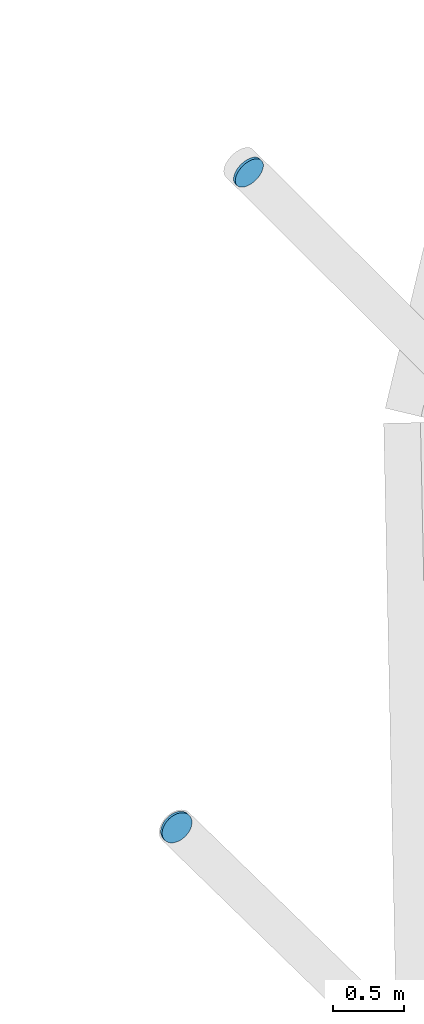
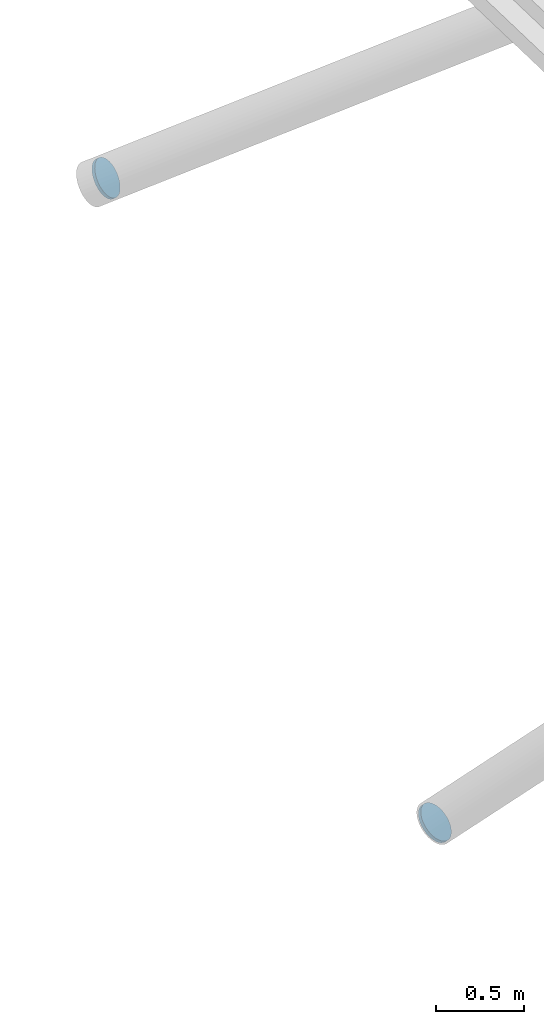
# One storey, part 27 of 38: 2 discrete accessories.
"""IFC4 building model written with IfcOpenShell, lengths in metres."""

from ifc_helpers import new_model, si_unit, direction, frame, origin, origin_2d, place, context, subcontext, project, spatial, circle, extrude, material, material_profile, profile_set, type_object, element, save


model = new_model("IFC4")

# Units and contexts
model_context = context("Model", 3, precision=1e-05, world=origin(), true_north=direction((0.0, 1.0)))
body_context = subcontext(model_context, "Body", "Model", "MODEL_VIEW")
ifc_project = project(units=[si_unit("LENGTHUNIT", "METRE"), si_unit("AREAUNIT", "SQUARE_METRE"), si_unit("VOLUMEUNIT", "CUBIC_METRE"), si_unit("PLANEANGLEUNIT", "RADIAN"), si_unit("MASSUNIT", "GRAM", prefix="KILO")], contexts=[model_context])

# Site, building, storey
site_placement = place(None, origin())
site = spatial("IfcSite", under=ifc_project, at=site_placement, CompositionType="ELEMENT")
building_placement = place(site_placement, origin())
building = spatial("IfcBuilding", under=site, at=building_placement, Name="Rimbun Link Towers", CompositionType="ELEMENT")
storey_placement = place(building_placement, frame((0.0, 0.0, 218.10009765625)))
storey = spatial("IfcBuildingStorey", under=building, at=storey_placement, Name="L53", CompositionType="ELEMENT", Elevation=218.10009765625)

# Discrete accessories
ifc_material = material(Name="Steel S355J2H", Category="steel")
ifc_material_profile = material_profile(ifc_material, circle(Radius=0.1240234375, at=origin_2d()), Name="PL D248")
ifc_profile_set = profile_set([ifc_material_profile], Name="Steel S355J2H")
discrete_accessory_type = type_object("IfcDiscreteAccessoryType", Name="Link foot sealing plate D248X20", PredefinedType="BRACKET", material=ifc_profile_set)
for number, where, z_axis, x_axis, name in (
    (1, (10.54052734375, 1.761474609375, -2.277099609375), (-0.597294544308, 0.58510485973, -0.548535805997), (-0.699779834816, -0.714358581375, 0.0), "Link foot sealing plate T2 L53 09"),
    (2, (10.029541015625, -2.869384765625, -3.7724609375), (-0.523418105875, 0.511245591785, -0.681660789046), (-0.698739523875, -0.715376179206, 0.0), "Link foot sealing plate T2 L53 10"),
):
    element("IfcDiscreteAccessory", number, at=place(storey_placement, frame(where, z_axis=z_axis, x_axis=x_axis)), inside=storey, type_object=discrete_accessory_type, Name=name, PredefinedType="BRACKET", context=body_context, shape_type="SweptSolid", body=[
        extrude(circle(Radius=0.1240234375, at=origin_2d()), origin(), (0.0, 0.0, 1.0), 0.02001953125),
    ])

save(model, "model.ifc")
